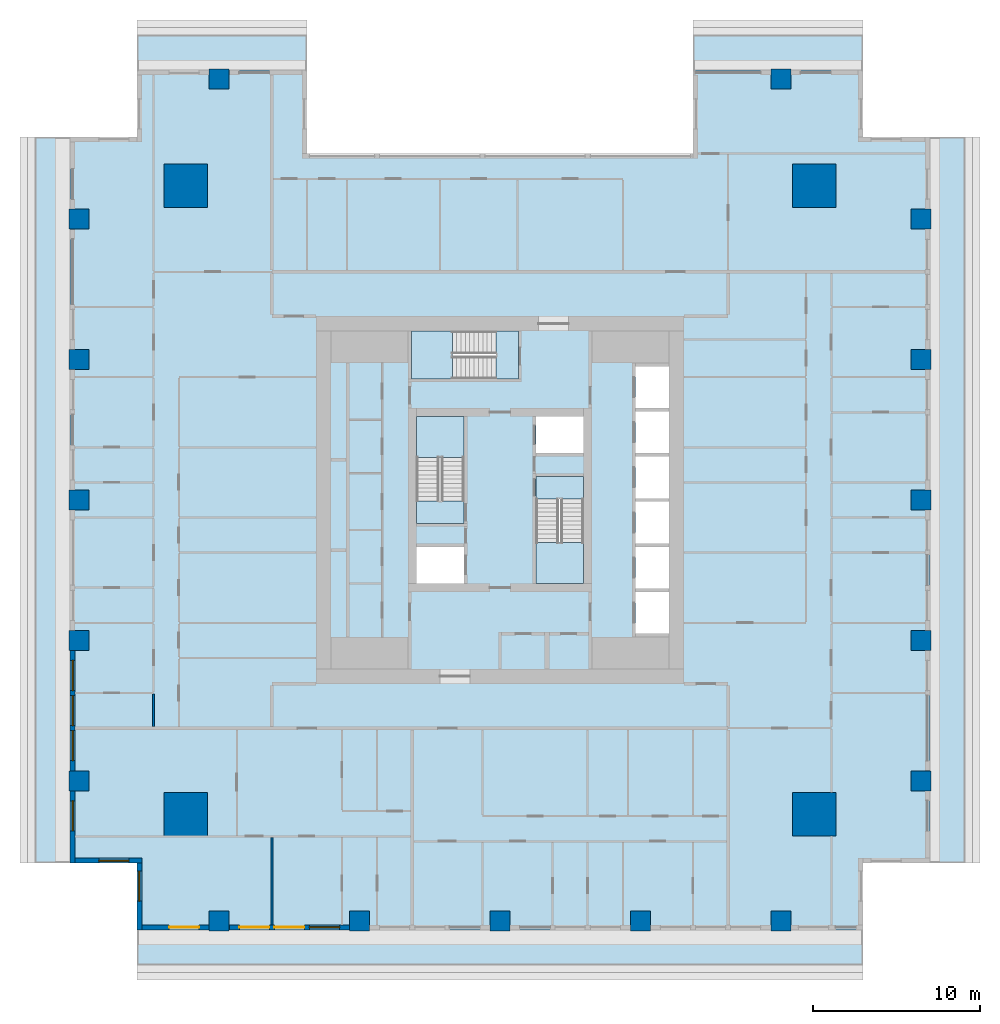
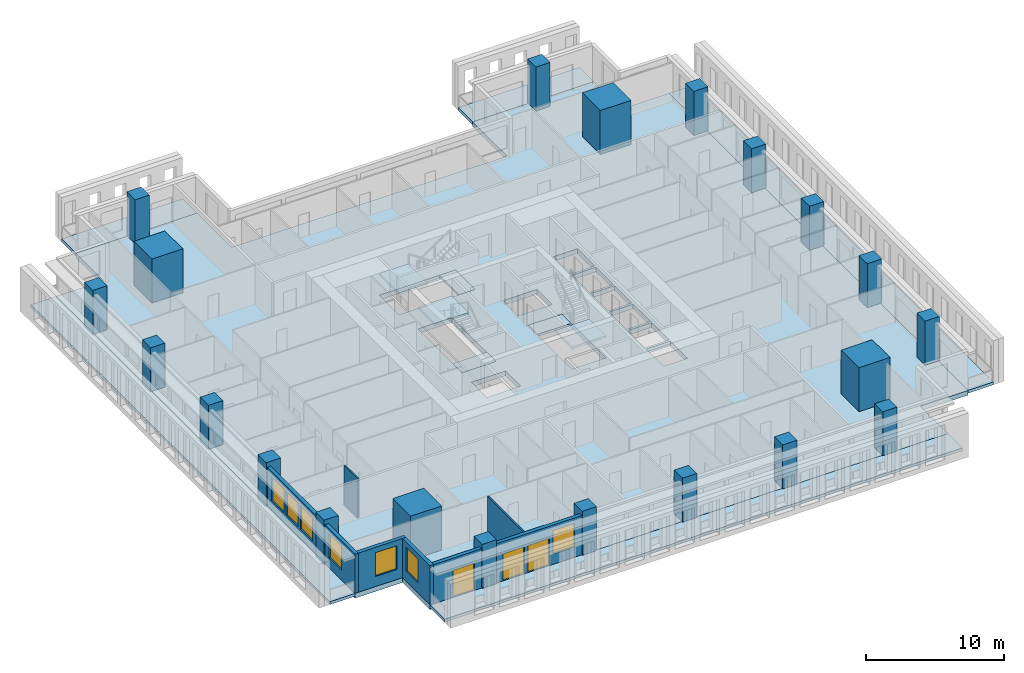
# One storey, part 1 of 16: 21 columns, 12 slabs, 8 walls, 7 windows, 3 doors, 10 openings, 3 elements without a shape of their own.
"""IFC4 building model written with IfcOpenShell, lengths in metres."""

from ifc_helpers import new_model, si_unit, direction, frame, frame_2d, origin, origin_2d, place, context, subcontext, project, spatial, polyline, rectangle, outline, extrude, material, layer, layer_set, material_profile, profile_set, type_object, element, fill, aggregate, save


model = new_model("IFC4")

# Units and contexts
model_context = context("Model", 3, precision=1e-05, world=origin(), true_north=direction((0.0, 1.0)))
body_context = subcontext(model_context, "Body", "Model", "MODEL_VIEW")
ifc_project = project(units=[si_unit("LENGTHUNIT", "METRE"), si_unit("AREAUNIT", "SQUARE_METRE"), si_unit("VOLUMEUNIT", "CUBIC_METRE"), si_unit("PLANEANGLEUNIT", "RADIAN"), si_unit("MASSUNIT", "GRAM", prefix="KILO")], contexts=[model_context])

# Site, building, storey
site_placement = place(None, origin())
site = spatial("IfcSite", under=ifc_project, at=site_placement, CompositionType="ELEMENT")
building_placement = place(site_placement, origin())
building = spatial("IfcBuilding", under=site, at=building_placement, Name="Khepri Terraces", CompositionType="ELEMENT")
storey_placement = place(building_placement, frame((0.0, 0.0, 168.89990234375)))
storey = spatial("IfcBuildingStorey", under=building, at=storey_placement, Name="L40", CompositionType="ELEMENT", Elevation=168.89990234375)

# Columns
ifc_material_1 = material(Name="Concrete C60/75", Category="concrete")
ifc_material_profile_1 = material_profile(ifc_material_1, rectangle(XDim=2.60009765625, YDim=2.60009765625, at=origin_2d()), Name="Concrete C60/75", Category="concrete")
ifc_profile_set_1 = profile_set([ifc_material_profile_1], Name="Concrete C60/75")
column_type_1 = type_object("IfcColumnType", Name="Mega column RC 2600x2600 C60/75", PredefinedType="COLUMN", material=ifc_profile_set_1)
for number, where, z_axis, x_axis, name in (
    (1, (18.800048828125, 18.800048828125, 0.0), (0.0, 0.0, 1.0), (1.0, 0.0, 0.0), "Mega column MEN L40"),
    (2, (18.800048828125, -18.800048828125, 0.0), (0.0, 0.0, 1.0), (1.0, 0.0, 0.0), "Mega column MES L40"),
    (3, (-18.800048828125, 18.800048828125, 0.0), (0.0, 0.0, 1.0), (1.0, 0.0, 0.0), "Mega column MWN L40"),
    (4, (-18.800048828125, -18.800048828125, 0.0), (0.0, 0.0, 1.0), (1.0, 0.0, 0.0), "Mega column MWS L40"),
):
    element("IfcColumn", number, at=place(storey_placement, frame(where, z_axis=z_axis, x_axis=x_axis)), inside=storey, type_object=column_type_1, Name=name, PredefinedType="COLUMN", context=body_context, shape_type="SweptSolid", body=[
        extrude(rectangle(XDim=2.60009765625, YDim=2.60009765625, at=origin_2d()), origin(), (0.0, 0.0, 1.0), 3.900146484375),
    ])
ifc_material_profile_2 = material_profile(ifc_material_1, rectangle(XDim=1.199951171875, YDim=1.199951171875, at=origin_2d()), Name="Concrete C60/75", Category="concrete")
ifc_profile_set_2 = profile_set([ifc_material_profile_2], Name="Concrete C60/75")
column_type_2 = type_object("IfcColumnType", Name="Tower column RC 1200x1200 C60/75", PredefinedType="COLUMN", material=ifc_profile_set_2)
for number, where, z_axis, x_axis, name in (
    (5, (25.199951171875, 0.0, 0.0), (0.0, 0.0, 1.0), (1.0, 0.0, 0.0), "Perimeter column PE+000a L40"),
    (6, (25.199951171875, 8.39990234375, 0.0), (0.0, 0.0, 1.0), (1.0, 0.0, 0.0), "Perimeter column PE+084a L40"),
    (7, (25.199951171875, 16.800048828125, 0.0), (0.0, 0.0, 1.0), (1.0, 0.0, 0.0), "Perimeter column PE+168a L40"),
    (8, (25.199951171875, -8.39990234375, 0.0), (0.0, 0.0, 1.0), (1.0, 0.0, 0.0), "Perimeter column PE-084a L40"),
    (9, (25.199951171875, -16.800048828125, 0.0), (0.0, 0.0, 1.0), (1.0, 0.0, 0.0), "Perimeter column PE-168a L40"),
    (10, (-16.800048828125, 25.199951171875, 0.0), (0.0, 0.0, 1.0), (1.0, 0.0, 0.0), "Perimeter column PN+168a L40"),
    (11, (16.800048828125, 25.199951171875, 0.0), (0.0, 0.0, 1.0), (1.0, 0.0, 0.0), "Perimeter column PN-168a L40"),
    (12, (0.0, -25.199951171875, 0.0), (0.0, 0.0, 1.0), (1.0, 0.0, 0.0), "Perimeter column PS+000b L40"),
    (13, (8.39990234375, -25.199951171875, 0.0), (0.0, 0.0, 1.0), (1.0, 0.0, 0.0), "Perimeter column PS+084b L40"),
    (14, (16.800048828125, -25.199951171875, 0.0), (0.0, 0.0, 1.0), (1.0, 0.0, 0.0), "Perimeter column PS+168a L40"),
    (15, (-8.39990234375, -25.199951171875, 0.0), (0.0, 0.0, 1.0), (1.0, 0.0, 0.0), "Perimeter column PS-084b L40"),
    (16, (-16.800048828125, -25.199951171875, 0.0), (0.0, 0.0, 1.0), (1.0, 0.0, 0.0), "Perimeter column PS-168a L40"),
    (17, (-25.199951171875, 0.0, 0.0), (0.0, 0.0, 1.0), (1.0, 0.0, 0.0), "Perimeter column PW+000b L40"),
    (18, (-25.199951171875, -8.39990234375, 0.0), (0.0, 0.0, 1.0), (1.0, 0.0, 0.0), "Perimeter column PW+084b L40"),
    (19, (-25.199951171875, -16.800048828125, 0.0), (0.0, 0.0, 1.0), (1.0, 0.0, 0.0), "Perimeter column PW+168a L40"),
    (20, (-25.199951171875, 8.39990234375, 0.0), (0.0, 0.0, 1.0), (1.0, 0.0, 0.0), "Perimeter column PW-084b L40"),
    (21, (-25.199951171875, 16.800048828125, 0.0), (0.0, 0.0, 1.0), (1.0, 0.0, 0.0), "Perimeter column PW-168a L40"),
):
    element("IfcColumn", number, at=place(storey_placement, frame(where, z_axis=z_axis, x_axis=x_axis)), inside=storey, type_object=column_type_2, Name=name, PredefinedType="COLUMN", context=body_context, shape_type="SweptSolid", body=[
        extrude(rectangle(XDim=1.199951171875, YDim=1.199951171875, at=origin_2d()), origin(), (0.0, 0.0, 1.0), 3.900146484375),
    ])

# Slabs
ifc_material_2 = material(Name="Concrete C40/50", Category="concrete")
ifc_layer_1 = layer(ifc_material_2, 0.419921875, Name="Concrete C40/50", Category="concrete")
ifc_layer_set_1 = layer_set([ifc_layer_1], Name="Concrete C40/50")
slab_type_1 = type_object("IfcSlabType", Name="Flat plate 420", PredefinedType="FLOOR", material=ifc_layer_set_1)
slab_1_placement = place(storey_placement, frame((0.0, 0.0, -0.419921875)))
element("IfcSlab", 22, at=slab_1_placement, inside=storey, type_object=slab_type_1, Name="Floor slab F01 L40", PredefinedType="FLOOR", context=body_context, shape_type="SweptSolid", body=[
    extrude(outline(polyline([(11.550048828125, 25.719970703125), (21.719970703125, 25.719970703125), (21.719970703125, 21.719970703125), (25.719970703125, 21.719970703125), (25.719970703125, -21.719970703125), (21.719970703125, -21.719970703125), (21.719970703125, -25.719970703125), (-21.719970703125, -25.719970703125), (-21.719970703125, -21.719970703125), (-25.719970703125, -21.719970703125), (-25.719970703125, 21.719970703125), (-21.719970703125, 21.719970703125), (-21.719970703125, 25.719970703125), (-11.550048828125, 25.719970703125), (-11.550048828125, 20.719970703125), (11.550048828125, 20.719970703125), (11.550048828125, 25.719970703125)]), holes=[polyline([(2.14990234375, 2.800048828125), (5.0, 2.800048828125), (5.0, 5.0), (2.14990234375, 5.0), (2.14990234375, 2.800048828125)]), polyline([(-5.0, -2.800048828125), (-5.0, -5.0), (-2.14990234375, -5.0), (-2.14990234375, -2.800048828125), (-5.0, -2.800048828125)]), polyline([(10.10009765625, -5.5), (8.10009765625, -5.5), (8.10009765625, -8.0), (10.10009765625, -8.0), (10.10009765625, -5.5)]), polyline([(10.10009765625, -5.300048828125), (10.10009765625, -2.800048828125), (8.10009765625, -2.800048828125), (8.10009765625, -5.300048828125), (10.10009765625, -5.300048828125)]), polyline([(8.10009765625, -2.60009765625), (10.10009765625, -2.60009765625), (10.10009765625, -0.10009765625), (8.10009765625, -0.10009765625), (8.10009765625, -2.60009765625)]), polyline([(8.10009765625, 2.60009765625), (8.10009765625, 0.10009765625), (10.10009765625, 0.10009765625), (10.10009765625, 2.60009765625), (8.10009765625, 2.60009765625)]), polyline([(10.10009765625, 5.300048828125), (8.10009765625, 5.300048828125), (8.10009765625, 2.800048828125), (10.10009765625, 2.800048828125), (10.10009765625, 5.300048828125)]), polyline([(10.10009765625, 5.5), (10.10009765625, 8.0), (8.10009765625, 8.0), (8.10009765625, 5.5), (10.10009765625, 5.5)]), polyline([(-5.0, -1.39990234375), (-2.14990234375, -1.39990234375), (-2.14990234375, 5.0), (-5.0, 5.0), (-5.0, -1.39990234375)]), polyline([(5.0, -5.0), (5.0, 1.39990234375), (2.14990234375, 1.39990234375), (2.14990234375, -5.0), (5.0, -5.0)]), polyline([(-5.300048828125, 10.10009765625), (-5.300048828125, 7.25), (1.10009765625, 7.25), (1.10009765625, 10.10009765625), (-5.300048828125, 10.10009765625)])]), origin(), (0.0, 0.0, 1.0), 0.419921875),
])
ifc_material_3 = material(Name="Precast concrete C50/60 warm stone", Category="masonry")
ifc_layer_2 = layer(ifc_material_3, 0.25, Name="Precast concrete C50/60 warm stone", Category="masonry")
ifc_layer_set_2 = layer_set([ifc_layer_2], Name="Precast concrete C50/60 warm stone")
slab_type_2 = type_object("IfcSlabType", Name="SLB-BALCONY-250", PredefinedType="FLOOR", material=ifc_layer_set_2)
slab_2_placement = place(storey_placement, frame((0.0, 0.0, -0.25)))
element("IfcSlab", 23, at=slab_2_placement, inside=storey, type_object=slab_type_2, Name="Balcony slab L40 S", PredefinedType="FLOOR", context=body_context, shape_type="SweptSolid", body=[
    extrude(outline(polyline([(-17.39990234375, -25.719970703125), (-21.719970703125, -25.719970703125), (-21.719970703125, -27.820068359375), (21.719970703125, -27.820068359375), (21.719970703125, -25.719970703125), (17.39990234375, -25.719970703125), (17.39990234375, -25.800048828125), (16.199951171875, -25.800048828125), (16.199951171875, -25.719970703125), (9.0, -25.719970703125), (9.0, -25.800048828125), (7.800048828125, -25.800048828125), (7.800048828125, -25.719970703125), (0.60009765625, -25.719970703125), (0.60009765625, -25.800048828125), (-0.60009765625, -25.800048828125), (-0.60009765625, -25.719970703125), (-7.800048828125, -25.719970703125), (-7.800048828125, -25.800048828125), (-9.0, -25.800048828125), (-9.0, -25.719970703125), (-16.199951171875, -25.719970703125), (-16.199951171875, -25.800048828125), (-17.39990234375, -25.800048828125), (-17.39990234375, -25.719970703125)])), origin(), (0.0, 0.0, 1.0), 0.25),
])
slab_3_placement = place(storey_placement, frame((0.0, 0.0, -0.25)))
element("IfcSlab", 24, at=slab_3_placement, inside=storey, type_object=slab_type_2, Name="Balcony slab L40 E", PredefinedType="FLOOR", context=body_context, shape_type="SweptSolid", body=[
    extrude(outline(polyline([(25.719970703125, -17.39990234375), (25.719970703125, -21.719970703125), (27.820068359375, -21.719970703125), (27.820068359375, 21.719970703125), (25.719970703125, 21.719970703125), (25.719970703125, 17.39990234375), (25.800048828125, 17.39990234375), (25.800048828125, 16.199951171875), (25.719970703125, 16.199951171875), (25.719970703125, 9.0), (25.800048828125, 9.0), (25.800048828125, 7.800048828125), (25.719970703125, 7.800048828125), (25.719970703125, 0.60009765625), (25.800048828125, 0.60009765625), (25.800048828125, -0.60009765625), (25.719970703125, -0.60009765625), (25.719970703125, -7.800048828125), (25.800048828125, -7.800048828125), (25.800048828125, -9.0), (25.719970703125, -9.0), (25.719970703125, -16.199951171875), (25.800048828125, -16.199951171875), (25.800048828125, -17.39990234375), (25.719970703125, -17.39990234375)])), origin(), (0.0, 0.0, 1.0), 0.25),
])
slab_4_placement = place(storey_placement, frame((0.0, 0.0, -0.25)))
element("IfcSlab", 25, at=slab_4_placement, inside=storey, type_object=slab_type_2, Name="Balcony slab L40 N", PredefinedType="FLOOR", context=body_context, shape_type="SweptSolid", body=[
    extrude(outline(polyline([(17.39990234375, 25.719970703125), (21.719970703125, 25.719970703125), (21.719970703125, 27.820068359375), (11.550048828125, 27.820068359375), (11.550048828125, 25.719970703125), (16.199951171875, 25.719970703125), (16.199951171875, 25.800048828125), (17.39990234375, 25.800048828125), (17.39990234375, 25.719970703125)])), origin(), (0.0, 0.0, 1.0), 0.25),
])
slab_5_placement = place(storey_placement, frame((0.0, 0.0, -0.25)))
element("IfcSlab", 26, at=slab_5_placement, inside=storey, type_object=slab_type_2, Name="Balcony slab L40 N", PredefinedType="FLOOR", context=body_context, shape_type="SweptSolid", body=[
    extrude(outline(polyline([(-16.199951171875, 25.719970703125), (-11.550048828125, 25.719970703125), (-11.550048828125, 27.820068359375), (-21.719970703125, 27.820068359375), (-21.719970703125, 25.719970703125), (-17.39990234375, 25.719970703125), (-17.39990234375, 25.800048828125), (-16.199951171875, 25.800048828125), (-16.199951171875, 25.719970703125)])), origin(), (0.0, 0.0, 1.0), 0.25),
])
slab_6_placement = place(storey_placement, frame((0.0, 0.0, -0.25)))
element("IfcSlab", 27, at=slab_6_placement, inside=storey, type_object=slab_type_2, Name="Balcony slab L40 W", PredefinedType="FLOOR", context=body_context, shape_type="SweptSolid", body=[
    extrude(outline(polyline([(-25.719970703125, 17.39990234375), (-25.719970703125, 21.719970703125), (-27.820068359375, 21.719970703125), (-27.820068359375, -21.719970703125), (-25.719970703125, -21.719970703125), (-25.719970703125, -17.39990234375), (-25.800048828125, -17.39990234375), (-25.800048828125, -16.199951171875), (-25.719970703125, -16.199951171875), (-25.719970703125, -9.0), (-25.800048828125, -9.0), (-25.800048828125, -7.800048828125), (-25.719970703125, -7.800048828125), (-25.719970703125, -0.60009765625), (-25.800048828125, -0.60009765625), (-25.800048828125, 0.60009765625), (-25.719970703125, 0.60009765625), (-25.719970703125, 7.800048828125), (-25.800048828125, 7.800048828125), (-25.800048828125, 9.0), (-25.719970703125, 9.0), (-25.719970703125, 16.199951171875), (-25.800048828125, 16.199951171875), (-25.800048828125, 17.39990234375), (-25.719970703125, 17.39990234375)])), origin(), (0.0, 0.0, 1.0), 0.25),
])

# Stair, slabs
stair_type = type_object("IfcStairType", Name="STAIR-RC-22R", PredefinedType="HALF_TURN_STAIR", material=ifc_material_2)
stair_1_placement = place(storey_placement, origin())
stair_1 = element("IfcStair", 28, at=stair_1_placement, inside=storey, type_object=stair_type, Name="L40 Exit Stair ST-1", PredefinedType="HALF_TURN_STAIR")
ifc_layer_3 = layer(ifc_material_2, 0.199951171875, Name="Concrete C40/50", Category="concrete")
ifc_layer_set_3 = layer_set([ifc_layer_3], Name="Concrete C40/50")
slab_type_3 = type_object("IfcSlabType", Name="SLB-CORE-LANDING", PredefinedType="LANDING", material=ifc_layer_set_3)
slab_7_placement = place(storey_placement, frame((0.0, 0.0, -0.199951171875)))
slab_7 = element("IfcSlab", 29, at=slab_7_placement, type_object=slab_type_3, Name="ST-1 landing 1", PredefinedType="LANDING", context=body_context, shape_type="SweptSolid", body=[
    extrude(outline(polyline([(-2.14990234375, -1.39990234375), (-2.14990234375, -0.050048828125), (-5.0, -0.050048828125), (-5.0, -1.39990234375), (-2.14990234375, -1.39990234375)])), origin(), (0.0, 0.0, 1.0), 0.199951171875),
])
slab_8_placement = place(storey_placement, frame((0.0, 0.0, 1.75)))
slab_8 = element("IfcSlab", 30, at=slab_8_placement, type_object=slab_type_3, Name="ST-1 landing 2", PredefinedType="LANDING", context=body_context, shape_type="SweptSolid", body=[
    extrude(outline(polyline([(-2.14990234375, 2.550048828125), (-2.14990234375, 5.0), (-5.0, 5.0), (-5.0, 2.550048828125), (-2.14990234375, 2.550048828125)])), origin(), (0.0, 0.0, 1.0), 0.2001953125),
])
aggregate(stair_1, [slab_7, slab_8])

stair_2_placement = place(storey_placement, origin())
stair_2 = element("IfcStair", 31, at=stair_2_placement, inside=storey, type_object=stair_type, Name="L40 Exit Stair ST-2", PredefinedType="HALF_TURN_STAIR")
slab_9_placement = place(storey_placement, frame((0.0, 0.0, -0.199951171875)))
slab_9 = element("IfcSlab", 32, at=slab_9_placement, type_object=slab_type_3, Name="ST-2 landing 1", PredefinedType="LANDING", context=body_context, shape_type="SweptSolid", body=[
    extrude(outline(polyline([(2.14990234375, 1.39990234375), (2.14990234375, 0.050048828125), (5.0, 0.050048828125), (5.0, 1.39990234375), (2.14990234375, 1.39990234375)])), origin(), (0.0, 0.0, 1.0), 0.199951171875),
])
slab_10_placement = place(storey_placement, frame((0.0, 0.0, 1.75)))
slab_10 = element("IfcSlab", 33, at=slab_10_placement, type_object=slab_type_3, Name="ST-2 landing 2", PredefinedType="LANDING", context=body_context, shape_type="SweptSolid", body=[
    extrude(outline(polyline([(2.14990234375, -2.550048828125), (2.14990234375, -5.0), (5.0, -5.0), (5.0, -2.550048828125), (2.14990234375, -2.550048828125)])), origin(), (0.0, 0.0, 1.0), 0.2001953125),
])
aggregate(stair_2, [slab_9, slab_10])

stair_3_placement = place(storey_placement, origin())
stair_3 = element("IfcStair", 34, at=stair_3_placement, inside=storey, type_object=stair_type, Name="L40 Exit Stair ST-3", PredefinedType="HALF_TURN_STAIR")
slab_11_placement = place(storey_placement, frame((0.0, 0.0, -0.199951171875)))
slab_11 = element("IfcSlab", 35, at=slab_11_placement, type_object=slab_type_3, Name="ST-3 landing 1", PredefinedType="LANDING", context=body_context, shape_type="SweptSolid", body=[
    extrude(outline(polyline([(1.10009765625, 10.10009765625), (-0.25, 10.10009765625), (-0.25, 7.25), (1.10009765625, 7.25), (1.10009765625, 10.10009765625)])), origin(), (0.0, 0.0, 1.0), 0.199951171875),
])
slab_12_placement = place(storey_placement, frame((0.0, 0.0, 1.75)))
slab_12 = element("IfcSlab", 36, at=slab_12_placement, type_object=slab_type_3, Name="ST-3 landing 2", PredefinedType="LANDING", context=body_context, shape_type="SweptSolid", body=[
    extrude(outline(polyline([(-2.85009765625, 10.10009765625), (-5.300048828125, 10.10009765625), (-5.300048828125, 7.25), (-2.85009765625, 7.25), (-2.85009765625, 10.10009765625)])), origin(), (0.0, 0.0, 1.0), 0.2001953125),
])
aggregate(stair_3, [slab_11, slab_12])

# Wall, openings, windows
ifc_layer_4 = layer(ifc_material_3, 0.300048828125, Name="Precast concrete C50/60 warm stone", Category="masonry")
ifc_layer_set_4 = layer_set([ifc_layer_4], Name="Precast concrete C50/60 warm stone")
wall_type_1 = type_object("IfcWallType", Name="WL-EXT-PRECAST-300", PredefinedType="STANDARD", material=ifc_layer_set_4)
wall_1_placement = place(storey_placement, frame((-25.570068359375, -9.0, 0.0), z_axis=(0.0, 0.0, 1.0), x_axis=(0.0, -1.0, 0.0)))
wall_1 = element("IfcWall", 37, at=wall_1_placement, inside=storey, type_object=wall_type_1, Name="External wall L40 W", PredefinedType="STANDARD", context=body_context, shape_type="SweptSolid", body=[
    extrude(rectangle(XDim=7.199951171875, YDim=0.300048828125, at=frame_2d((3.60009765625, 0.0))), origin(), (0.0, 0.0, 1.0), 3.47998046875),
])
opening_1_placement = place(wall_1_placement, frame((0.60009765625, 0.0, 0.89990234375)))
opening_1 = element("IfcOpeningElement", 38, at=opening_1_placement, cuts=wall_1, Name="Opening W1", PredefinedType="OPENING", context=body_context, shape_type="SweptSolid", body=[
    extrude(rectangle(XDim=1.800048828125, YDim=2.10009765625, at=frame_2d((0.89990234375, 1.050048828125))), frame((0.0, 0.16015625, 0.0), z_axis=(0.0, -1.0, 0.0), x_axis=(1.0, 0.0, 0.0)), (0.0, 0.0, 1.0), 0.320068359375),
])
opening_2_placement = place(wall_1_placement, frame((2.699951171875, 0.0, 0.89990234375)))
opening_2 = element("IfcOpeningElement", 39, at=opening_2_placement, cuts=wall_1, Name="Opening W1", PredefinedType="OPENING", context=body_context, shape_type="SweptSolid", body=[
    extrude(rectangle(XDim=1.800048828125, YDim=2.10009765625, at=frame_2d((0.89990234375, 1.050048828125))), frame((0.0, 0.16015625, 0.0), z_axis=(0.0, -1.0, 0.0), x_axis=(1.0, 0.0, 0.0)), (0.0, 0.0, 1.0), 0.320068359375),
])
opening_3_placement = place(wall_1_placement, frame((4.800048828125, 0.0, 0.89990234375)))
opening_3 = element("IfcOpeningElement", 40, at=opening_3_placement, cuts=wall_1, Name="Opening W1", PredefinedType="OPENING", context=body_context, shape_type="SweptSolid", body=[
    extrude(rectangle(XDim=1.800048828125, YDim=2.10009765625, at=frame_2d((0.89990234375, 1.050048828125))), frame((0.0, 0.16015625, 0.0), z_axis=(0.0, -1.0, 0.0), x_axis=(1.0, 0.0, 0.0)), (0.0, 0.0, 1.0), 0.320068359375),
])
ifc_material_4 = material(Name="Clear glass", Category="glass")
window_type = type_object("IfcWindowType", Name="WIN-RES-1800x2100", PartitioningType="SINGLE_PANEL", PredefinedType="WINDOW", material=ifc_material_4)
window_1_placement = place(opening_1_placement, origin())
window_1 = element("IfcWindow", 41, at=window_1_placement, inside=storey, type_object=window_type, Name="Window L40 W", OverallHeight=2.10009765625, OverallWidth=1.800048828125, PartitioningType="SINGLE_PANEL", PredefinedType="WINDOW", context=body_context, shape_type="SweptSolid", body=[
    extrude(rectangle(XDim=1.800048828125, YDim=2.10009765625, at=frame_2d((0.89990234375, 1.050048828125))), frame((0.0, 0.030029296875, 0.0), z_axis=(0.0, -1.0, 0.0), x_axis=(1.0, 0.0, 0.0)), (0.0, 0.0, 1.0), 0.06005859375),
])
fill(opening_1, window_1)
window_2_placement = place(opening_2_placement, origin())
window_2 = element("IfcWindow", 42, at=window_2_placement, inside=storey, type_object=window_type, Name="Window L40 W", OverallHeight=2.10009765625, OverallWidth=1.800048828125, PartitioningType="SINGLE_PANEL", PredefinedType="WINDOW", context=body_context, shape_type="SweptSolid", body=[
    extrude(rectangle(XDim=1.800048828125, YDim=2.10009765625, at=frame_2d((0.89990234375, 1.050048828125))), frame((0.0, 0.030029296875, 0.0), z_axis=(0.0, -1.0, 0.0), x_axis=(1.0, 0.0, 0.0)), (0.0, 0.0, 1.0), 0.06005859375),
])
fill(opening_2, window_2)
window_3_placement = place(opening_3_placement, origin())
window_3 = element("IfcWindow", 43, at=window_3_placement, inside=storey, type_object=window_type, Name="Window L40 W", OverallHeight=2.10009765625, OverallWidth=1.800048828125, PartitioningType="SINGLE_PANEL", PredefinedType="WINDOW", context=body_context, shape_type="SweptSolid", body=[
    extrude(rectangle(XDim=1.800048828125, YDim=2.10009765625, at=frame_2d((0.89990234375, 1.050048828125))), frame((0.0, 0.030029296875, 0.0), z_axis=(0.0, -1.0, 0.0), x_axis=(1.0, 0.0, 0.0)), (0.0, 0.0, 1.0), 0.06005859375),
])
fill(opening_3, window_3)

# Wall, opening, window
wall_2_placement = place(storey_placement, frame((-25.570068359375, -17.39990234375, 0.0), z_axis=(0.0, 0.0, 1.0), x_axis=(0.0, -1.0, 0.0)))
wall_2 = element("IfcWall", 44, at=wall_2_placement, inside=storey, type_object=wall_type_1, Name="External wall L40 W", PredefinedType="STANDARD", context=body_context, shape_type="SweptSolid", body=[
    extrude(rectangle(XDim=4.320068359375, YDim=0.300048828125, at=frame_2d((2.16015625, 0.0))), origin(), (0.0, 0.0, 1.0), 3.47998046875),
])
opening_4_placement = place(wall_2_placement, frame((0.60009765625, 0.0, 0.89990234375)))
opening_4 = element("IfcOpeningElement", 45, at=opening_4_placement, cuts=wall_2, Name="Opening W1", PredefinedType="OPENING", context=body_context, shape_type="SweptSolid", body=[
    extrude(rectangle(XDim=1.800048828125, YDim=2.10009765625, at=frame_2d((0.89990234375, 1.050048828125))), frame((0.0, 0.16015625, 0.0), z_axis=(0.0, -1.0, 0.0), x_axis=(1.0, 0.0, 0.0)), (0.0, 0.0, 1.0), 0.320068359375),
])
window_4_placement = place(opening_4_placement, origin())
window_4 = element("IfcWindow", 46, at=window_4_placement, inside=storey, type_object=window_type, Name="Window L40 W", OverallHeight=2.10009765625, OverallWidth=1.800048828125, PartitioningType="SINGLE_PANEL", PredefinedType="WINDOW", context=body_context, shape_type="SweptSolid", body=[
    extrude(rectangle(XDim=1.800048828125, YDim=2.10009765625, at=frame_2d((0.89990234375, 1.050048828125))), frame((0.0, 0.030029296875, 0.0), z_axis=(0.0, -1.0, 0.0), x_axis=(1.0, 0.0, 0.0)), (0.0, 0.0, 1.0), 0.06005859375),
])
fill(opening_4, window_4)

wall_3_placement = place(storey_placement, frame((-25.419921875, -21.570068359375, 0.0), z_axis=(0.0, 0.0, 1.0), x_axis=(1.0, 0.0, 0.0)))
wall_3 = element("IfcWall", 47, at=wall_3_placement, inside=storey, type_object=wall_type_1, Name="External wall L40 S", PredefinedType="STANDARD", context=body_context, shape_type="SweptSolid", body=[
    extrude(rectangle(XDim=4.0, YDim=0.300048828125, at=frame_2d((2.0, 0.0))), origin(), (0.0, 0.0, 1.0), 3.47998046875),
])
opening_5_placement = place(wall_3_placement, frame((1.419921875, 0.0, 0.89990234375)))
opening_5 = element("IfcOpeningElement", 48, at=opening_5_placement, cuts=wall_3, Name="Opening W1", PredefinedType="OPENING", context=body_context, shape_type="SweptSolid", body=[
    extrude(rectangle(XDim=1.800048828125, YDim=2.10009765625, at=frame_2d((0.89990234375, 1.050048828125))), frame((0.0, 0.16015625, 0.0), z_axis=(0.0, -1.0, 0.0), x_axis=(1.0, 0.0, 0.0)), (0.0, 0.0, 1.0), 0.320068359375),
])
window_5_placement = place(opening_5_placement, origin())
window_5 = element("IfcWindow", 49, at=window_5_placement, inside=storey, type_object=window_type, Name="Window L40 S", OverallHeight=2.10009765625, OverallWidth=1.800048828125, PartitioningType="SINGLE_PANEL", PredefinedType="WINDOW", context=body_context, shape_type="SweptSolid", body=[
    extrude(rectangle(XDim=1.800048828125, YDim=2.10009765625, at=frame_2d((0.89990234375, 1.050048828125))), frame((0.0, 0.030029296875, 0.0), z_axis=(0.0, -1.0, 0.0), x_axis=(1.0, 0.0, 0.0)), (0.0, 0.0, 1.0), 0.06005859375),
])
fill(opening_5, window_5)

wall_4_placement = place(storey_placement, frame((-21.570068359375, -21.719970703125, 0.0), z_axis=(0.0, 0.0, 1.0), x_axis=(0.0, -1.0, 0.0)))
wall_4 = element("IfcWall", 50, at=wall_4_placement, inside=storey, type_object=wall_type_1, Name="External wall L40 W", PredefinedType="STANDARD", context=body_context, shape_type="SweptSolid", body=[
    extrude(rectangle(XDim=4.0, YDim=0.300048828125, at=frame_2d((2.0, 0.0))), origin(), (0.0, 0.0, 1.0), 3.47998046875),
])
opening_6_placement = place(wall_4_placement, frame((0.47998046875, 0.0, 0.89990234375)))
opening_6 = element("IfcOpeningElement", 51, at=opening_6_placement, cuts=wall_4, Name="Opening W1", PredefinedType="OPENING", context=body_context, shape_type="SweptSolid", body=[
    extrude(rectangle(XDim=1.800048828125, YDim=2.10009765625, at=frame_2d((0.89990234375, 1.050048828125))), frame((0.0, 0.16015625, 0.0), z_axis=(0.0, -1.0, 0.0), x_axis=(1.0, 0.0, 0.0)), (0.0, 0.0, 1.0), 0.320068359375),
])
window_6_placement = place(opening_6_placement, origin())
window_6 = element("IfcWindow", 52, at=window_6_placement, inside=storey, type_object=window_type, Name="Window L40 W", OverallHeight=2.10009765625, OverallWidth=1.800048828125, PartitioningType="SINGLE_PANEL", PredefinedType="WINDOW", context=body_context, shape_type="SweptSolid", body=[
    extrude(rectangle(XDim=1.800048828125, YDim=2.10009765625, at=frame_2d((0.89990234375, 1.050048828125))), frame((0.0, 0.030029296875, 0.0), z_axis=(0.0, -1.0, 0.0), x_axis=(1.0, 0.0, 0.0)), (0.0, 0.0, 1.0), 0.06005859375),
])
fill(opening_6, window_6)

# Wall, opening, door
wall_5_placement = place(storey_placement, frame((-21.419921875, -25.570068359375, 0.0), z_axis=(0.0, 0.0, 1.0), x_axis=(1.0, 0.0, 0.0)))
wall_5 = element("IfcWall", 53, at=wall_5_placement, inside=storey, type_object=wall_type_1, Name="External wall L40 S", PredefinedType="STANDARD", context=body_context, shape_type="SweptSolid", body=[
    extrude(rectangle(XDim=4.02001953125, YDim=0.300048828125, at=frame_2d((2.010009765625, 0.0))), origin(), (0.0, 0.0, 1.0), 3.47998046875),
])
opening_7_placement = place(wall_5_placement, frame((1.6201171875, 0.0, 0.0)))
opening_7 = element("IfcOpeningElement", 54, at=opening_7_placement, cuts=wall_5, Name="Opening ED-L40-10", PredefinedType="OPENING", context=body_context, shape_type="SweptSolid", body=[
    extrude(rectangle(XDim=1.800048828125, YDim=2.39990234375, at=frame_2d((0.89990234375, 1.199951171875))), frame((0.0, 0.16015625, 0.0), z_axis=(0.0, -1.0, 0.0), x_axis=(1.0, 0.0, 0.0)), (0.0, 0.0, 1.0), 0.320068359375),
])
ifc_material_5 = material(Name="Anodised aluminium bronze glazed door", Category="aluminium")
door_type = type_object("IfcDoorType", Name="DR-BAL-SLIDE-1800x2400", OperationType="NOTDEFINED", PredefinedType="DOOR", material=ifc_material_5)
door_1_placement = place(opening_7_placement, origin())
door_1 = element("IfcDoor", 55, at=door_1_placement, inside=storey, type_object=door_type, Name="Balcony door L40 S", OperationType="SLIDING_TO_RIGHT", OverallHeight=2.39990234375, OverallWidth=1.800048828125, PredefinedType="DOOR", context=body_context, shape_type="SweptSolid", body=[
    extrude(rectangle(XDim=1.800048828125, YDim=2.39990234375, at=frame_2d((0.89990234375, 1.199951171875))), frame((0.0, 0.02490234375, 0.0), z_axis=(0.0, -1.0, 0.0), x_axis=(1.0, 0.0, 0.0)), (0.0, 0.0, 1.0), 0.050048828125),
])
fill(opening_7, door_1)

# Wall, openings, doors, window
wall_6_placement = place(storey_placement, frame((-16.199951171875, -25.570068359375, 0.0), z_axis=(0.0, 0.0, 1.0), x_axis=(1.0, 0.0, 0.0)))
wall_6 = element("IfcWall", 56, at=wall_6_placement, inside=storey, type_object=wall_type_1, Name="External wall L40 S", PredefinedType="STANDARD", context=body_context, shape_type="SweptSolid", body=[
    extrude(rectangle(XDim=7.199951171875, YDim=0.300048828125, at=frame_2d((3.60009765625, 0.0))), origin(), (0.0, 0.0, 1.0), 3.47998046875),
])
opening_8_placement = place(wall_6_placement, frame((0.60009765625, 0.0, 0.0)))
opening_8 = element("IfcOpeningElement", 57, at=opening_8_placement, cuts=wall_6, Name="Opening ED-L40-11", PredefinedType="OPENING", context=body_context, shape_type="SweptSolid", body=[
    extrude(rectangle(XDim=1.800048828125, YDim=2.39990234375, at=frame_2d((0.89990234375, 1.199951171875))), frame((0.0, 0.16015625, 0.0), z_axis=(0.0, -1.0, 0.0), x_axis=(1.0, 0.0, 0.0)), (0.0, 0.0, 1.0), 0.320068359375),
])
opening_9_placement = place(wall_6_placement, frame((2.699951171875, 0.0, 0.0)))
opening_9 = element("IfcOpeningElement", 58, at=opening_9_placement, cuts=wall_6, Name="Opening ED-L40-12", PredefinedType="OPENING", context=body_context, shape_type="SweptSolid", body=[
    extrude(rectangle(XDim=1.800048828125, YDim=2.39990234375, at=frame_2d((0.89990234375, 1.199951171875))), frame((0.0, 0.16015625, 0.0), z_axis=(0.0, -1.0, 0.0), x_axis=(1.0, 0.0, 0.0)), (0.0, 0.0, 1.0), 0.320068359375),
])
opening_10_placement = place(wall_6_placement, frame((4.800048828125, 0.0, 0.89990234375)))
opening_10 = element("IfcOpeningElement", 59, at=opening_10_placement, cuts=wall_6, Name="Opening W1", PredefinedType="OPENING", context=body_context, shape_type="SweptSolid", body=[
    extrude(rectangle(XDim=1.800048828125, YDim=2.10009765625, at=frame_2d((0.89990234375, 1.050048828125))), frame((0.0, 0.16015625, 0.0), z_axis=(0.0, -1.0, 0.0), x_axis=(1.0, 0.0, 0.0)), (0.0, 0.0, 1.0), 0.320068359375),
])
door_2_placement = place(opening_8_placement, origin())
door_2 = element("IfcDoor", 60, at=door_2_placement, inside=storey, type_object=door_type, Name="Balcony door L40 S", OperationType="SLIDING_TO_LEFT", OverallHeight=2.39990234375, OverallWidth=1.800048828125, PredefinedType="DOOR", context=body_context, shape_type="SweptSolid", body=[
    extrude(rectangle(XDim=1.800048828125, YDim=2.39990234375, at=frame_2d((0.89990234375, 1.199951171875))), frame((0.0, 0.02490234375, 0.0), z_axis=(0.0, -1.0, 0.0), x_axis=(1.0, 0.0, 0.0)), (0.0, 0.0, 1.0), 0.050048828125),
])
fill(opening_8, door_2)
door_3_placement = place(opening_9_placement, origin())
door_3 = element("IfcDoor", 61, at=door_3_placement, inside=storey, type_object=door_type, Name="Balcony door L40 S", OperationType="SLIDING_TO_RIGHT", OverallHeight=2.39990234375, OverallWidth=1.800048828125, PredefinedType="DOOR", context=body_context, shape_type="SweptSolid", body=[
    extrude(rectangle(XDim=1.800048828125, YDim=2.39990234375, at=frame_2d((0.89990234375, 1.199951171875))), frame((0.0, 0.02490234375, 0.0), z_axis=(0.0, -1.0, 0.0), x_axis=(1.0, 0.0, 0.0)), (0.0, 0.0, 1.0), 0.050048828125),
])
fill(opening_9, door_3)
window_7_placement = place(opening_10_placement, origin())
window_7 = element("IfcWindow", 62, at=window_7_placement, inside=storey, type_object=window_type, Name="Window L40 S", OverallHeight=2.10009765625, OverallWidth=1.800048828125, PartitioningType="SINGLE_PANEL", PredefinedType="WINDOW", context=body_context, shape_type="SweptSolid", body=[
    extrude(rectangle(XDim=1.800048828125, YDim=2.10009765625, at=frame_2d((0.89990234375, 1.050048828125))), frame((0.0, 0.030029296875, 0.0), z_axis=(0.0, -1.0, 0.0), x_axis=(1.0, 0.0, 0.0)), (0.0, 0.0, 1.0), 0.06005859375),
])
fill(opening_10, window_7)

# Walls
ifc_material_6 = material(Name="Gypsum plasterboard partition")
ifc_layer_5 = layer(ifc_material_6, 0.1201171875, Name="Gypsum plasterboard partition")
ifc_layer_set_5 = layer_set([ifc_layer_5], Name="Gypsum plasterboard partition")
wall_type_2 = type_object("IfcWallType", Name="WL-PART-120", PredefinedType="PARTITIONING", material=ifc_layer_set_5)
wall_7_placement = place(storey_placement, frame((-13.64990234375, -25.419921875, 0.0), z_axis=(0.0, 0.0, 1.0), x_axis=(0.0, 1.0, 0.0)))
element("IfcWall", 63, at=wall_7_placement, inside=storey, type_object=wall_type_2, Name="Partition P-001 L40", PredefinedType="PARTITIONING", context=body_context, shape_type="SweptSolid", body=[
    extrude(rectangle(XDim=5.239990234375, YDim=0.1201171875, at=frame_2d((2.6201171875, 0.0))), origin(), (0.0, 0.0, 1.0), 3.47998046875),
])
wall_8_placement = place(storey_placement, frame((-20.719970703125, -13.550048828125, 0.0), z_axis=(0.0, 0.0, 1.0), x_axis=(0.0, 1.0, 0.0)))
element("IfcWall", 64, at=wall_8_placement, inside=storey, type_object=wall_type_2, Name="Partition P-027 L40", PredefinedType="PARTITIONING", context=body_context, shape_type="SweptSolid", body=[
    extrude(rectangle(XDim=1.93994140625, YDim=0.1201171875, at=frame_2d((0.969970703125, 0.0))), origin(), (0.0, 0.0, 1.0), 3.47998046875),
])

save(model, "model.ifc")
